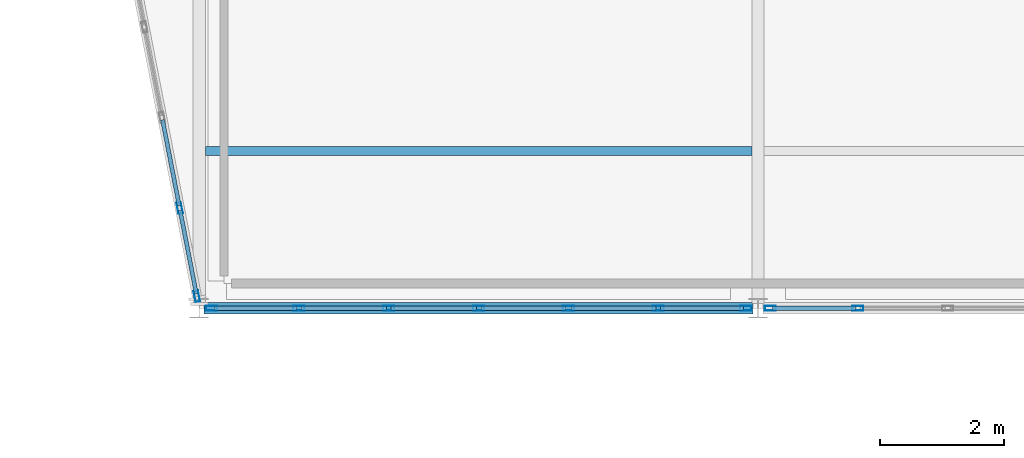
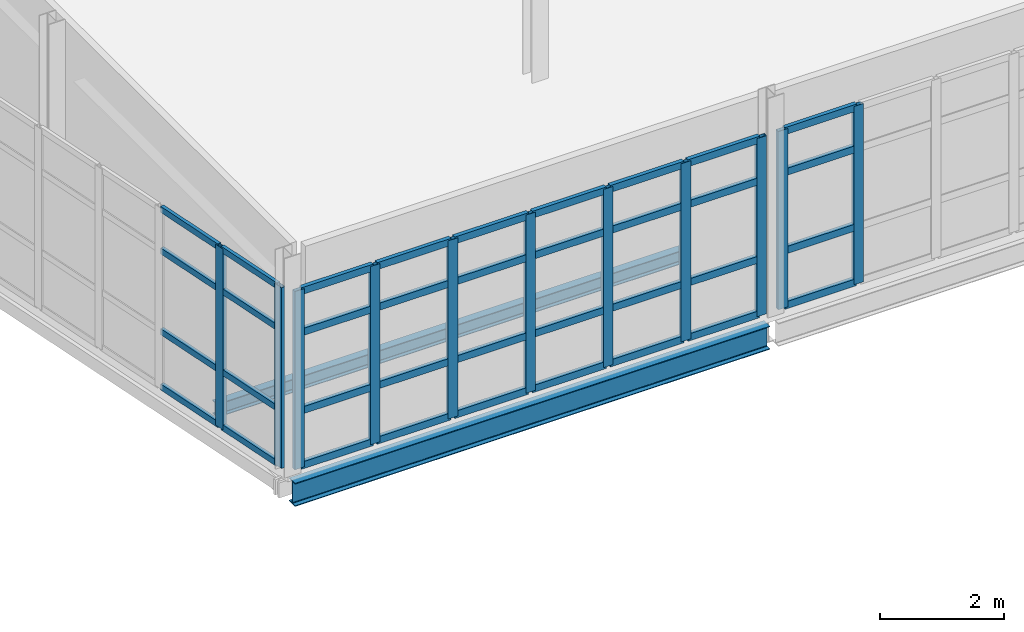
# One storey, part 69 of 166: 47 members, 2 beams, 3 elements without a shape of their own.
"""IFC4 building model written with IfcOpenShell, lengths in metres."""

from ifc_helpers import new_model, si_unit, direction, frame, origin, origin_2d, place, context, subcontext, project, spatial, hollow_rectangle, i_section, extrude, material, material_profile, profile_set, type_object, element, aggregate, save


model = new_model("IFC4")

# Units and contexts
model_context = context("Model", 3, precision=1e-05, world=origin(), true_north=direction((0.0, 1.0)))
body_context = subcontext(model_context, "Body", "Model", "MODEL_VIEW")
ifc_project = project(units=[si_unit("LENGTHUNIT", "METRE"), si_unit("AREAUNIT", "SQUARE_METRE"), si_unit("VOLUMEUNIT", "CUBIC_METRE"), si_unit("PLANEANGLEUNIT", "RADIAN"), si_unit("MASSUNIT", "GRAM", prefix="KILO")], contexts=[model_context])

# Site, building, storey
site_placement = place(None, origin())
site = spatial("IfcSite", under=ifc_project, at=site_placement, CompositionType="ELEMENT")
building_placement = place(site_placement, origin())
building = spatial("IfcBuilding", under=site, at=building_placement, Name="Caisbarro Railhouse Central Library", CompositionType="ELEMENT")
storey_placement = place(building_placement, frame((0.0, 0.0, 9.360107421875)))
storey = spatial("IfcBuildingStorey", under=building, at=storey_placement, Name="L02", CompositionType="ELEMENT", Elevation=9.360107421875)

# Beams
ifc_material_1 = material(Name="Steel ASTM A572 Grade 50", Category="steel")
ifc_material_profile_1 = material_profile(ifc_material_1, i_section(OverallWidth=0.14794921875, OverallDepth=0.26611328125, WebThickness=0.007568359375, FlangeThickness=0.012939453125, FilletRadius=0.010009765625, at=origin_2d()), Name="W250X44.8")
ifc_profile_set_1 = profile_set([ifc_material_profile_1], Name="Steel ASTM A572 Grade 50")
beam_type_1 = type_object("IfcBeamType", Name="BM-J04", PredefinedType="JOIST", material=ifc_profile_set_1)
beam_1_placement = place(storey_placement, frame((117.10009765625, 63.333251953125, -0.35302734375), z_axis=(1.0, 0.0, 0.0), x_axis=(0.0, 1.0, 0.0)))
element("IfcBeam", 1, at=beam_1_placement, inside=storey, type_object=beam_type_1, Name="J04 beam L02 #1539", PredefinedType="JOIST", context=body_context, shape_type="SweptSolid", body=[
    extrude(i_section(OverallWidth=0.14794921875, OverallDepth=0.26611328125, WebThickness=0.007568359375, FlangeThickness=0.012939453125, FilletRadius=0.010009765625, at=origin_2d()), origin(), (0.0, 0.0, 1.0), 8.804931640625),
])
ifc_material_profile_2 = material_profile(ifc_material_1, i_section(OverallWidth=0.18994140625, OverallDepth=0.45703125, WebThickness=0.009033203125, FlangeThickness=0.014404296875, FilletRadius=0.01806640625, at=origin_2d()), Name="W460X74.0")
ifc_profile_set_2 = profile_set([ifc_material_profile_2], Name="Steel ASTM A572 Grade 50")
beam_type_2 = type_object("IfcBeamType", Name="BM-SP01", PredefinedType="SPANDREL", material=ifc_profile_set_2)
beam_2_placement = place(storey_placement, frame((117.080078125, 60.800048828125, -0.448486328125), z_axis=(1.0, 0.0, 0.0), x_axis=(0.0, 1.0, 0.0)))
element("IfcBeam", 2, at=beam_2_placement, inside=storey, type_object=beam_type_2, Name="SP01 beam L02 #1476", PredefinedType="SPANDREL", context=body_context, shape_type="SweptSolid", body=[
    extrude(i_section(OverallWidth=0.18994140625, OverallDepth=0.45703125, WebThickness=0.009033203125, FlangeThickness=0.014404296875, FilletRadius=0.01806640625, at=origin_2d()), origin(), (0.0, 0.0, 1.0), 8.83984375),
])

# Curtain wall, members
ifc_material_2 = material(Name="Anodised architectural aluminium", Category="aluminium")
curtain_wall_type = type_object("IfcCurtainWallType", Name="CW-CW02", PredefinedType="NOTDEFINED", material=ifc_material_2)
curtain_wall_1_placement = place(storey_placement, origin())
curtain_wall_1 = element("IfcCurtainWall", 3, at=curtain_wall_1_placement, inside=storey, type_object=curtain_wall_type, Name="CW02 curtain wall L02 #126", PredefinedType="NOTDEFINED")
ifc_material_profile_3 = material_profile(ifc_material_2, hollow_rectangle(XDim=0.074951171875, YDim=0.179931640625, WallThickness=0.00439453125, at=origin_2d()), Name="ALU-MUL-75X180")
ifc_profile_set_3 = profile_set([ifc_material_profile_3], Name="Anodised architectural aluminium")
member_type_1 = type_object("IfcMemberType", Name="CWM-M01", PredefinedType="MULLION", material=ifc_profile_set_3)
member_1_placement = place(storey_placement, frame((116.96240234375, 60.993896484375, 0.0), z_axis=(0.0, 0.0, 1.0), x_axis=(-0.981632635401, -0.190780945369, 0.0)))
member_1 = element("IfcMember", 4, at=member_1_placement, type_object=member_type_1, Name="CW02 mullion 1", PredefinedType="MULLION", context=body_context, shape_type="SweptSolid", body=[
    extrude(hollow_rectangle(XDim=0.074951171875, YDim=0.179931640625, WallThickness=0.00439453125, at=origin_2d()), origin(), (0.0, 0.0, 1.0), 3.559814453125),
])
member_2_placement = place(storey_placement, frame((116.686279296875, 62.414306640625, 0.0), z_axis=(0.0, 0.0, 1.0), x_axis=(-0.981632635401, -0.190780945369, 0.0)))
member_2 = element("IfcMember", 5, at=member_2_placement, type_object=member_type_1, Name="CW02 mullion 2", PredefinedType="MULLION", context=body_context, shape_type="SweptSolid", body=[
    extrude(hollow_rectangle(XDim=0.074951171875, YDim=0.179931640625, WallThickness=0.00439453125, at=origin_2d()), origin(), (0.0, 0.0, 1.0), 3.559814453125),
])

curtain_wall_2_placement = place(storey_placement, origin())
curtain_wall_2 = element("IfcCurtainWall", 6, at=curtain_wall_2_placement, inside=storey, type_object=curtain_wall_type, Name="CW02 curtain wall L02 #133", PredefinedType="NOTDEFINED")
member_3_placement = place(storey_placement, frame((117.197509765625, 60.800048828125, 0.0), z_axis=(0.0, 0.0, 1.0), x_axis=(0.0, 1.0, 0.0)))
member_3 = element("IfcMember", 7, at=member_3_placement, type_object=member_type_1, Name="CW02 mullion 1", PredefinedType="MULLION", context=body_context, shape_type="SweptSolid", body=[
    extrude(hollow_rectangle(XDim=0.074951171875, YDim=0.179931640625, WallThickness=0.00439453125, at=origin_2d()), origin(), (0.0, 0.0, 1.0), 3.510009765625),
])
member_4_placement = place(storey_placement, frame((118.606689453125, 60.800048828125, 0.0), z_axis=(0.0, 0.0, 1.0), x_axis=(0.0, 1.0, 0.0)))
member_4 = element("IfcMember", 8, at=member_4_placement, type_object=member_type_1, Name="CW02 mullion 2", PredefinedType="MULLION", context=body_context, shape_type="SweptSolid", body=[
    extrude(hollow_rectangle(XDim=0.074951171875, YDim=0.179931640625, WallThickness=0.00439453125, at=origin_2d()), origin(), (0.0, 0.0, 1.0), 3.510009765625),
])
member_5_placement = place(storey_placement, frame((120.05322265625, 60.800048828125, 0.0), z_axis=(0.0, 0.0, 1.0), x_axis=(0.0, 1.0, 0.0)))
member_5 = element("IfcMember", 9, at=member_5_placement, type_object=member_type_1, Name="CW02 mullion 3", PredefinedType="MULLION", context=body_context, shape_type="SweptSolid", body=[
    extrude(hollow_rectangle(XDim=0.074951171875, YDim=0.179931640625, WallThickness=0.00439453125, at=origin_2d()), origin(), (0.0, 0.0, 1.0), 3.510009765625),
])
member_6_placement = place(storey_placement, frame((121.5, 60.800048828125, 0.0), z_axis=(0.0, 0.0, 1.0), x_axis=(0.0, 1.0, 0.0)))
member_6 = element("IfcMember", 10, at=member_6_placement, type_object=member_type_1, Name="CW02 mullion 4", PredefinedType="MULLION", context=body_context, shape_type="SweptSolid", body=[
    extrude(hollow_rectangle(XDim=0.074951171875, YDim=0.179931640625, WallThickness=0.00439453125, at=origin_2d()), origin(), (0.0, 0.0, 1.0), 3.510009765625),
])
member_7_placement = place(storey_placement, frame((122.94677734375, 60.800048828125, 0.0), z_axis=(0.0, 0.0, 1.0), x_axis=(0.0, 1.0, 0.0)))
member_7 = element("IfcMember", 11, at=member_7_placement, type_object=member_type_1, Name="CW02 mullion 5", PredefinedType="MULLION", context=body_context, shape_type="SweptSolid", body=[
    extrude(hollow_rectangle(XDim=0.074951171875, YDim=0.179931640625, WallThickness=0.00439453125, at=origin_2d()), origin(), (0.0, 0.0, 1.0), 3.510009765625),
])
member_8_placement = place(storey_placement, frame((124.393310546875, 60.800048828125, 0.0), z_axis=(0.0, 0.0, 1.0), x_axis=(0.0, 1.0, 0.0)))
member_8 = element("IfcMember", 12, at=member_8_placement, type_object=member_type_1, Name="CW02 mullion 6", PredefinedType="MULLION", context=body_context, shape_type="SweptSolid", body=[
    extrude(hollow_rectangle(XDim=0.074951171875, YDim=0.179931640625, WallThickness=0.00439453125, at=origin_2d()), origin(), (0.0, 0.0, 1.0), 3.510009765625),
])
member_9_placement = place(storey_placement, frame((125.802490234375, 60.800048828125, 0.0), z_axis=(0.0, 0.0, 1.0), x_axis=(0.0, 1.0, 0.0)))
member_9 = element("IfcMember", 13, at=member_9_placement, type_object=member_type_1, Name="CW02 mullion 7", PredefinedType="MULLION", context=body_context, shape_type="SweptSolid", body=[
    extrude(hollow_rectangle(XDim=0.074951171875, YDim=0.179931640625, WallThickness=0.00439453125, at=origin_2d()), origin(), (0.0, 0.0, 1.0), 3.510009765625),
])

curtain_wall_3_placement = place(storey_placement, origin())
curtain_wall_3 = element("IfcCurtainWall", 14, at=curtain_wall_3_placement, inside=storey, type_object=curtain_wall_type, Name="CW02 curtain wall L02 #134", PredefinedType="NOTDEFINED")
member_10_placement = place(storey_placement, frame((126.197509765625, 60.800048828125, 0.0), z_axis=(0.0, 0.0, 1.0), x_axis=(0.0, 1.0, 0.0)))
member_10 = element("IfcMember", 15, at=member_10_placement, type_object=member_type_1, Name="CW02 mullion 1", PredefinedType="MULLION", context=body_context, shape_type="SweptSolid", body=[
    extrude(hollow_rectangle(XDim=0.074951171875, YDim=0.179931640625, WallThickness=0.00439453125, at=origin_2d()), origin(), (0.0, 0.0, 1.0), 3.510009765625),
])
member_11_placement = place(storey_placement, frame((127.606689453125, 60.800048828125, 0.0), z_axis=(0.0, 0.0, 1.0), x_axis=(0.0, 1.0, 0.0)))
member_11 = element("IfcMember", 16, at=member_11_placement, type_object=member_type_1, Name="CW02 mullion 2", PredefinedType="MULLION", context=body_context, shape_type="SweptSolid", body=[
    extrude(hollow_rectangle(XDim=0.074951171875, YDim=0.179931640625, WallThickness=0.00439453125, at=origin_2d()), origin(), (0.0, 0.0, 1.0), 3.510009765625),
])

# Member
ifc_material_profile_4 = material_profile(ifc_material_2, hollow_rectangle(XDim=0.074951171875, YDim=0.139892578125, WallThickness=0.00390625, at=origin_2d()), Name="ALU-TRN-75X140")
ifc_profile_set_4 = profile_set([ifc_material_profile_4], Name="Anodised architectural aluminium")
member_type_2 = type_object("IfcMemberType", Name="CWT-T01", PredefinedType="USERDEFINED", material=ifc_profile_set_4)
member_12_placement = place(storey_placement, frame((117.235107421875, 60.800048828125, 0.037353515625), z_axis=(1.0, 0.0, 0.0), x_axis=(0.0, 1.0, 0.0)))
member_12 = element("IfcMember", 17, at=member_12_placement, type_object=member_type_2, Name="CW02 transom 1.1", ObjectType="TRANSOM", PredefinedType="USERDEFINED", context=body_context, shape_type="SweptSolid", body=[
    extrude(hollow_rectangle(XDim=0.074951171875, YDim=0.139892578125, WallThickness=0.00390625, at=origin_2d()), origin(), (0.0, 0.0, 1.0), 1.333984375),
])

member_13_placement = place(storey_placement, frame((117.235107421875, 60.800048828125, 1.119873046875), z_axis=(1.0, 0.0, 0.0), x_axis=(0.0, 1.0, 0.0)))
member_13 = element("IfcMember", 18, at=member_13_placement, type_object=member_type_2, Name="CW02 transom 1.2", ObjectType="TRANSOM", PredefinedType="USERDEFINED", context=body_context, shape_type="SweptSolid", body=[
    extrude(hollow_rectangle(XDim=0.074951171875, YDim=0.139892578125, WallThickness=0.00390625, at=origin_2d()), origin(), (0.0, 0.0, 1.0), 1.333984375),
])

member_14_placement = place(storey_placement, frame((117.235107421875, 60.800048828125, 2.659912109375), z_axis=(1.0, 0.0, 0.0), x_axis=(0.0, 1.0, 0.0)))
member_14 = element("IfcMember", 19, at=member_14_placement, type_object=member_type_2, Name="CW02 transom 1.3", ObjectType="TRANSOM", PredefinedType="USERDEFINED", context=body_context, shape_type="SweptSolid", body=[
    extrude(hollow_rectangle(XDim=0.074951171875, YDim=0.139892578125, WallThickness=0.00390625, at=origin_2d()), origin(), (0.0, 0.0, 1.0), 1.333984375),
])

member_15_placement = place(storey_placement, frame((117.235107421875, 60.800048828125, 3.472412109375), z_axis=(1.0, 0.0, 0.0), x_axis=(0.0, 1.0, 0.0)))
member_15 = element("IfcMember", 20, at=member_15_placement, type_object=member_type_2, Name="CW02 transom 1.4", ObjectType="TRANSOM", PredefinedType="USERDEFINED", context=body_context, shape_type="SweptSolid", body=[
    extrude(hollow_rectangle(XDim=0.074951171875, YDim=0.139892578125, WallThickness=0.00390625, at=origin_2d()), origin(), (0.0, 0.0, 1.0), 1.333984375),
])

member_16_placement = place(storey_placement, frame((118.644287109375, 60.800048828125, 0.037353515625), z_axis=(1.0, 0.0, 0.0), x_axis=(0.0, 1.0, 0.0)))
member_16 = element("IfcMember", 21, at=member_16_placement, type_object=member_type_2, Name="CW02 transom 2.1", ObjectType="TRANSOM", PredefinedType="USERDEFINED", context=body_context, shape_type="SweptSolid", body=[
    extrude(hollow_rectangle(XDim=0.074951171875, YDim=0.139892578125, WallThickness=0.00390625, at=origin_2d()), origin(), (0.0, 0.0, 1.0), 1.37158203125),
])

member_17_placement = place(storey_placement, frame((118.644287109375, 60.800048828125, 1.119873046875), z_axis=(1.0, 0.0, 0.0), x_axis=(0.0, 1.0, 0.0)))
member_17 = element("IfcMember", 22, at=member_17_placement, type_object=member_type_2, Name="CW02 transom 2.2", ObjectType="TRANSOM", PredefinedType="USERDEFINED", context=body_context, shape_type="SweptSolid", body=[
    extrude(hollow_rectangle(XDim=0.074951171875, YDim=0.139892578125, WallThickness=0.00390625, at=origin_2d()), origin(), (0.0, 0.0, 1.0), 1.37158203125),
])

member_18_placement = place(storey_placement, frame((118.644287109375, 60.800048828125, 2.659912109375), z_axis=(1.0, 0.0, 0.0), x_axis=(0.0, 1.0, 0.0)))
member_18 = element("IfcMember", 23, at=member_18_placement, type_object=member_type_2, Name="CW02 transom 2.3", ObjectType="TRANSOM", PredefinedType="USERDEFINED", context=body_context, shape_type="SweptSolid", body=[
    extrude(hollow_rectangle(XDim=0.074951171875, YDim=0.139892578125, WallThickness=0.00390625, at=origin_2d()), origin(), (0.0, 0.0, 1.0), 1.37158203125),
])

member_19_placement = place(storey_placement, frame((118.644287109375, 60.800048828125, 3.472412109375), z_axis=(1.0, 0.0, 0.0), x_axis=(0.0, 1.0, 0.0)))
member_19 = element("IfcMember", 24, at=member_19_placement, type_object=member_type_2, Name="CW02 transom 2.4", ObjectType="TRANSOM", PredefinedType="USERDEFINED", context=body_context, shape_type="SweptSolid", body=[
    extrude(hollow_rectangle(XDim=0.074951171875, YDim=0.139892578125, WallThickness=0.00390625, at=origin_2d()), origin(), (0.0, 0.0, 1.0), 1.37158203125),
])

member_20_placement = place(storey_placement, frame((120.0908203125, 60.800048828125, 0.037353515625), z_axis=(1.0, 0.0, 0.0), x_axis=(0.0, 1.0, 0.0)))
member_20 = element("IfcMember", 25, at=member_20_placement, type_object=member_type_2, Name="CW02 transom 3.1", ObjectType="TRANSOM", PredefinedType="USERDEFINED", context=body_context, shape_type="SweptSolid", body=[
    extrude(hollow_rectangle(XDim=0.074951171875, YDim=0.139892578125, WallThickness=0.00390625, at=origin_2d()), origin(), (0.0, 0.0, 1.0), 1.37158203125),
])

member_21_placement = place(storey_placement, frame((120.0908203125, 60.800048828125, 1.119873046875), z_axis=(1.0, 0.0, 0.0), x_axis=(0.0, 1.0, 0.0)))
member_21 = element("IfcMember", 26, at=member_21_placement, type_object=member_type_2, Name="CW02 transom 3.2", ObjectType="TRANSOM", PredefinedType="USERDEFINED", context=body_context, shape_type="SweptSolid", body=[
    extrude(hollow_rectangle(XDim=0.074951171875, YDim=0.139892578125, WallThickness=0.00390625, at=origin_2d()), origin(), (0.0, 0.0, 1.0), 1.37158203125),
])

member_22_placement = place(storey_placement, frame((120.0908203125, 60.800048828125, 2.659912109375), z_axis=(1.0, 0.0, 0.0), x_axis=(0.0, 1.0, 0.0)))
member_22 = element("IfcMember", 27, at=member_22_placement, type_object=member_type_2, Name="CW02 transom 3.3", ObjectType="TRANSOM", PredefinedType="USERDEFINED", context=body_context, shape_type="SweptSolid", body=[
    extrude(hollow_rectangle(XDim=0.074951171875, YDim=0.139892578125, WallThickness=0.00390625, at=origin_2d()), origin(), (0.0, 0.0, 1.0), 1.37158203125),
])

member_23_placement = place(storey_placement, frame((120.0908203125, 60.800048828125, 3.472412109375), z_axis=(1.0, 0.0, 0.0), x_axis=(0.0, 1.0, 0.0)))
member_23 = element("IfcMember", 28, at=member_23_placement, type_object=member_type_2, Name="CW02 transom 3.4", ObjectType="TRANSOM", PredefinedType="USERDEFINED", context=body_context, shape_type="SweptSolid", body=[
    extrude(hollow_rectangle(XDim=0.074951171875, YDim=0.139892578125, WallThickness=0.00390625, at=origin_2d()), origin(), (0.0, 0.0, 1.0), 1.37158203125),
])

member_24_placement = place(storey_placement, frame((121.53759765625, 60.800048828125, 0.037353515625), z_axis=(1.0, 0.0, 0.0), x_axis=(0.0, 1.0, 0.0)))
member_24 = element("IfcMember", 29, at=member_24_placement, type_object=member_type_2, Name="CW02 transom 4.1", ObjectType="TRANSOM", PredefinedType="USERDEFINED", context=body_context, shape_type="SweptSolid", body=[
    extrude(hollow_rectangle(XDim=0.074951171875, YDim=0.139892578125, WallThickness=0.00390625, at=origin_2d()), origin(), (0.0, 0.0, 1.0), 1.37158203125),
])

member_25_placement = place(storey_placement, frame((121.53759765625, 60.800048828125, 1.119873046875), z_axis=(1.0, 0.0, 0.0), x_axis=(0.0, 1.0, 0.0)))
member_25 = element("IfcMember", 30, at=member_25_placement, type_object=member_type_2, Name="CW02 transom 4.2", ObjectType="TRANSOM", PredefinedType="USERDEFINED", context=body_context, shape_type="SweptSolid", body=[
    extrude(hollow_rectangle(XDim=0.074951171875, YDim=0.139892578125, WallThickness=0.00390625, at=origin_2d()), origin(), (0.0, 0.0, 1.0), 1.37158203125),
])

member_26_placement = place(storey_placement, frame((121.53759765625, 60.800048828125, 2.659912109375), z_axis=(1.0, 0.0, 0.0), x_axis=(0.0, 1.0, 0.0)))
member_26 = element("IfcMember", 31, at=member_26_placement, type_object=member_type_2, Name="CW02 transom 4.3", ObjectType="TRANSOM", PredefinedType="USERDEFINED", context=body_context, shape_type="SweptSolid", body=[
    extrude(hollow_rectangle(XDim=0.074951171875, YDim=0.139892578125, WallThickness=0.00390625, at=origin_2d()), origin(), (0.0, 0.0, 1.0), 1.37158203125),
])

member_27_placement = place(storey_placement, frame((121.53759765625, 60.800048828125, 3.472412109375), z_axis=(1.0, 0.0, 0.0), x_axis=(0.0, 1.0, 0.0)))
member_27 = element("IfcMember", 32, at=member_27_placement, type_object=member_type_2, Name="CW02 transom 4.4", ObjectType="TRANSOM", PredefinedType="USERDEFINED", context=body_context, shape_type="SweptSolid", body=[
    extrude(hollow_rectangle(XDim=0.074951171875, YDim=0.139892578125, WallThickness=0.00390625, at=origin_2d()), origin(), (0.0, 0.0, 1.0), 1.37158203125),
])

member_28_placement = place(storey_placement, frame((122.984130859375, 60.800048828125, 0.037353515625), z_axis=(1.0, 0.0, 0.0), x_axis=(0.0, 1.0, 0.0)))
member_28 = element("IfcMember", 33, at=member_28_placement, type_object=member_type_2, Name="CW02 transom 5.1", ObjectType="TRANSOM", PredefinedType="USERDEFINED", context=body_context, shape_type="SweptSolid", body=[
    extrude(hollow_rectangle(XDim=0.074951171875, YDim=0.139892578125, WallThickness=0.00390625, at=origin_2d()), origin(), (0.0, 0.0, 1.0), 1.37158203125),
])

member_29_placement = place(storey_placement, frame((122.984130859375, 60.800048828125, 1.119873046875), z_axis=(1.0, 0.0, 0.0), x_axis=(0.0, 1.0, 0.0)))
member_29 = element("IfcMember", 34, at=member_29_placement, type_object=member_type_2, Name="CW02 transom 5.2", ObjectType="TRANSOM", PredefinedType="USERDEFINED", context=body_context, shape_type="SweptSolid", body=[
    extrude(hollow_rectangle(XDim=0.074951171875, YDim=0.139892578125, WallThickness=0.00390625, at=origin_2d()), origin(), (0.0, 0.0, 1.0), 1.37158203125),
])

member_30_placement = place(storey_placement, frame((122.984130859375, 60.800048828125, 2.659912109375), z_axis=(1.0, 0.0, 0.0), x_axis=(0.0, 1.0, 0.0)))
member_30 = element("IfcMember", 35, at=member_30_placement, type_object=member_type_2, Name="CW02 transom 5.3", ObjectType="TRANSOM", PredefinedType="USERDEFINED", context=body_context, shape_type="SweptSolid", body=[
    extrude(hollow_rectangle(XDim=0.074951171875, YDim=0.139892578125, WallThickness=0.00390625, at=origin_2d()), origin(), (0.0, 0.0, 1.0), 1.37158203125),
])

member_31_placement = place(storey_placement, frame((122.984130859375, 60.800048828125, 3.472412109375), z_axis=(1.0, 0.0, 0.0), x_axis=(0.0, 1.0, 0.0)))
member_31 = element("IfcMember", 36, at=member_31_placement, type_object=member_type_2, Name="CW02 transom 5.4", ObjectType="TRANSOM", PredefinedType="USERDEFINED", context=body_context, shape_type="SweptSolid", body=[
    extrude(hollow_rectangle(XDim=0.074951171875, YDim=0.139892578125, WallThickness=0.00390625, at=origin_2d()), origin(), (0.0, 0.0, 1.0), 1.37158203125),
])

member_32_placement = place(storey_placement, frame((124.430908203125, 60.800048828125, 0.037353515625), z_axis=(1.0, 0.0, 0.0), x_axis=(0.0, 1.0, 0.0)))
member_32 = element("IfcMember", 37, at=member_32_placement, type_object=member_type_2, Name="CW02 transom 6.1", ObjectType="TRANSOM", PredefinedType="USERDEFINED", context=body_context, shape_type="SweptSolid", body=[
    extrude(hollow_rectangle(XDim=0.074951171875, YDim=0.139892578125, WallThickness=0.00390625, at=origin_2d()), origin(), (0.0, 0.0, 1.0), 1.333984375),
])

member_33_placement = place(storey_placement, frame((124.430908203125, 60.800048828125, 1.119873046875), z_axis=(1.0, 0.0, 0.0), x_axis=(0.0, 1.0, 0.0)))
member_33 = element("IfcMember", 38, at=member_33_placement, type_object=member_type_2, Name="CW02 transom 6.2", ObjectType="TRANSOM", PredefinedType="USERDEFINED", context=body_context, shape_type="SweptSolid", body=[
    extrude(hollow_rectangle(XDim=0.074951171875, YDim=0.139892578125, WallThickness=0.00390625, at=origin_2d()), origin(), (0.0, 0.0, 1.0), 1.333984375),
])

member_34_placement = place(storey_placement, frame((124.430908203125, 60.800048828125, 2.659912109375), z_axis=(1.0, 0.0, 0.0), x_axis=(0.0, 1.0, 0.0)))
member_34 = element("IfcMember", 39, at=member_34_placement, type_object=member_type_2, Name="CW02 transom 6.3", ObjectType="TRANSOM", PredefinedType="USERDEFINED", context=body_context, shape_type="SweptSolid", body=[
    extrude(hollow_rectangle(XDim=0.074951171875, YDim=0.139892578125, WallThickness=0.00390625, at=origin_2d()), origin(), (0.0, 0.0, 1.0), 1.333984375),
])

member_35_placement = place(storey_placement, frame((124.430908203125, 60.800048828125, 3.472412109375), z_axis=(1.0, 0.0, 0.0), x_axis=(0.0, 1.0, 0.0)))
member_35 = element("IfcMember", 40, at=member_35_placement, type_object=member_type_2, Name="CW02 transom 6.4", ObjectType="TRANSOM", PredefinedType="USERDEFINED", context=body_context, shape_type="SweptSolid", body=[
    extrude(hollow_rectangle(XDim=0.074951171875, YDim=0.139892578125, WallThickness=0.00390625, at=origin_2d()), origin(), (0.0, 0.0, 1.0), 1.333984375),
])

aggregate(curtain_wall_2, [member_3, member_4, member_5, member_6, member_7, member_8, member_9, member_12, member_13, member_14, member_15, member_16, member_17, member_18, member_19, member_20, member_21, member_22, member_23, member_24, member_25, member_26, member_27, member_28, member_29, member_30, member_31, member_32, member_33, member_34, member_35])

member_36_placement = place(storey_placement, frame((126.235107421875, 60.800048828125, 0.037353515625), z_axis=(1.0, 0.0, 0.0), x_axis=(0.0, 1.0, 0.0)))
member_36 = element("IfcMember", 41, at=member_36_placement, type_object=member_type_2, Name="CW02 transom 1.1", ObjectType="TRANSOM", PredefinedType="USERDEFINED", context=body_context, shape_type="SweptSolid", body=[
    extrude(hollow_rectangle(XDim=0.074951171875, YDim=0.139892578125, WallThickness=0.00390625, at=origin_2d()), origin(), (0.0, 0.0, 1.0), 1.333984375),
])

member_37_placement = place(storey_placement, frame((126.235107421875, 60.800048828125, 1.119873046875), z_axis=(1.0, 0.0, 0.0), x_axis=(0.0, 1.0, 0.0)))
member_37 = element("IfcMember", 42, at=member_37_placement, type_object=member_type_2, Name="CW02 transom 1.2", ObjectType="TRANSOM", PredefinedType="USERDEFINED", context=body_context, shape_type="SweptSolid", body=[
    extrude(hollow_rectangle(XDim=0.074951171875, YDim=0.139892578125, WallThickness=0.00390625, at=origin_2d()), origin(), (0.0, 0.0, 1.0), 1.333984375),
])

member_38_placement = place(storey_placement, frame((126.235107421875, 60.800048828125, 2.659912109375), z_axis=(1.0, 0.0, 0.0), x_axis=(0.0, 1.0, 0.0)))
member_38 = element("IfcMember", 43, at=member_38_placement, type_object=member_type_2, Name="CW02 transom 1.3", ObjectType="TRANSOM", PredefinedType="USERDEFINED", context=body_context, shape_type="SweptSolid", body=[
    extrude(hollow_rectangle(XDim=0.074951171875, YDim=0.139892578125, WallThickness=0.00390625, at=origin_2d()), origin(), (0.0, 0.0, 1.0), 1.333984375),
])

member_39_placement = place(storey_placement, frame((126.235107421875, 60.800048828125, 3.472412109375), z_axis=(1.0, 0.0, 0.0), x_axis=(0.0, 1.0, 0.0)))
member_39 = element("IfcMember", 44, at=member_39_placement, type_object=member_type_2, Name="CW02 transom 1.4", ObjectType="TRANSOM", PredefinedType="USERDEFINED", context=body_context, shape_type="SweptSolid", body=[
    extrude(hollow_rectangle(XDim=0.074951171875, YDim=0.139892578125, WallThickness=0.00390625, at=origin_2d()), origin(), (0.0, 0.0, 1.0), 1.333984375),
])

aggregate(curtain_wall_3, [member_10, member_11, member_36, member_37, member_38, member_39])

ifc_material_profile_5 = material_profile(ifc_material_2, hollow_rectangle(XDim=0.06494140625, YDim=0.1201171875, WallThickness=0.00341796875, at=origin_2d()), Name="ALU-TRN-65X120")
ifc_profile_set_5 = profile_set([ifc_material_profile_5], Name="Anodised architectural aluminium")
member_type_3 = type_object("IfcMemberType", Name="CWT-T02", PredefinedType="USERDEFINED", material=ifc_profile_set_5)
member_40_placement = place(storey_placement, frame((116.955078125, 61.03076171875, 0.032470703125), z_axis=(-0.190774392735, 0.981633908887, 0.0), x_axis=(-0.981633908887, -0.190774392735, 0.0)))
member_40 = element("IfcMember", 45, at=member_40_placement, type_object=member_type_3, Name="CW02 transom 1.1", ObjectType="TRANSOM", PredefinedType="USERDEFINED", context=body_context, shape_type="SweptSolid", body=[
    extrude(hollow_rectangle(XDim=0.06494140625, YDim=0.1201171875, WallThickness=0.00341796875, at=origin_2d()), origin(), (0.0, 0.0, 1.0), 1.371826171875),
])

member_41_placement = place(storey_placement, frame((116.955078125, 61.03076171875, 1.119873046875), z_axis=(-0.190774392735, 0.981633908887, 0.0), x_axis=(-0.981633908887, -0.190774392735, 0.0)))
member_41 = element("IfcMember", 46, at=member_41_placement, type_object=member_type_3, Name="CW02 transom 1.2", ObjectType="TRANSOM", PredefinedType="USERDEFINED", context=body_context, shape_type="SweptSolid", body=[
    extrude(hollow_rectangle(XDim=0.06494140625, YDim=0.1201171875, WallThickness=0.00341796875, at=origin_2d()), origin(), (0.0, 0.0, 1.0), 1.371826171875),
])

member_42_placement = place(storey_placement, frame((116.955078125, 61.03076171875, 2.7099609375), z_axis=(-0.190774392735, 0.981633908887, 0.0), x_axis=(-0.981633908887, -0.190774392735, 0.0)))
member_42 = element("IfcMember", 47, at=member_42_placement, type_object=member_type_3, Name="CW02 transom 1.3", ObjectType="TRANSOM", PredefinedType="USERDEFINED", context=body_context, shape_type="SweptSolid", body=[
    extrude(hollow_rectangle(XDim=0.06494140625, YDim=0.1201171875, WallThickness=0.00341796875, at=origin_2d()), origin(), (0.0, 0.0, 1.0), 1.371826171875),
])

member_43_placement = place(storey_placement, frame((116.955078125, 61.03076171875, 3.52734375), z_axis=(-0.190774392735, 0.981633908887, 0.0), x_axis=(-0.981633908887, -0.190774392735, 0.0)))
member_43 = element("IfcMember", 48, at=member_43_placement, type_object=member_type_3, Name="CW02 transom 1.4", ObjectType="TRANSOM", PredefinedType="USERDEFINED", context=body_context, shape_type="SweptSolid", body=[
    extrude(hollow_rectangle(XDim=0.06494140625, YDim=0.1201171875, WallThickness=0.00341796875, at=origin_2d()), origin(), (0.0, 0.0, 1.0), 1.371826171875),
])

member_44_placement = place(storey_placement, frame((116.67919921875, 62.451171875, 0.032470703125), z_axis=(-0.190883567843, 0.981612685089, 0.0), x_axis=(-0.981612685089, -0.190883567843, 0.0)))
member_44 = element("IfcMember", 49, at=member_44_placement, type_object=member_type_3, Name="CW02 transom 2.1", ObjectType="TRANSOM", PredefinedType="USERDEFINED", context=body_context, shape_type="SweptSolid", body=[
    extrude(hollow_rectangle(XDim=0.06494140625, YDim=0.1201171875, WallThickness=0.00341796875, at=origin_2d()), origin(), (0.0, 0.0, 1.0), 1.409423828125),
])

member_45_placement = place(storey_placement, frame((116.67919921875, 62.451171875, 1.119873046875), z_axis=(-0.190883567843, 0.981612685089, 0.0), x_axis=(-0.981612685089, -0.190883567843, 0.0)))
member_45 = element("IfcMember", 50, at=member_45_placement, type_object=member_type_3, Name="CW02 transom 2.2", ObjectType="TRANSOM", PredefinedType="USERDEFINED", context=body_context, shape_type="SweptSolid", body=[
    extrude(hollow_rectangle(XDim=0.06494140625, YDim=0.1201171875, WallThickness=0.00341796875, at=origin_2d()), origin(), (0.0, 0.0, 1.0), 1.409423828125),
])

member_46_placement = place(storey_placement, frame((116.67919921875, 62.451171875, 2.7099609375), z_axis=(-0.190883567843, 0.981612685089, 0.0), x_axis=(-0.981612685089, -0.190883567843, 0.0)))
member_46 = element("IfcMember", 51, at=member_46_placement, type_object=member_type_3, Name="CW02 transom 2.3", ObjectType="TRANSOM", PredefinedType="USERDEFINED", context=body_context, shape_type="SweptSolid", body=[
    extrude(hollow_rectangle(XDim=0.06494140625, YDim=0.1201171875, WallThickness=0.00341796875, at=origin_2d()), origin(), (0.0, 0.0, 1.0), 1.409423828125),
])

member_47_placement = place(storey_placement, frame((116.67919921875, 62.451171875, 3.52734375), z_axis=(-0.190883567843, 0.981612685089, 0.0), x_axis=(-0.981612685089, -0.190883567843, 0.0)))
member_47 = element("IfcMember", 52, at=member_47_placement, type_object=member_type_3, Name="CW02 transom 2.4", ObjectType="TRANSOM", PredefinedType="USERDEFINED", context=body_context, shape_type="SweptSolid", body=[
    extrude(hollow_rectangle(XDim=0.06494140625, YDim=0.1201171875, WallThickness=0.00341796875, at=origin_2d()), origin(), (0.0, 0.0, 1.0), 1.409423828125),
])

aggregate(curtain_wall_1, [member_1, member_2, member_40, member_41, member_42, member_43, member_44, member_45, member_46, member_47])

save(model, "model.ifc")
